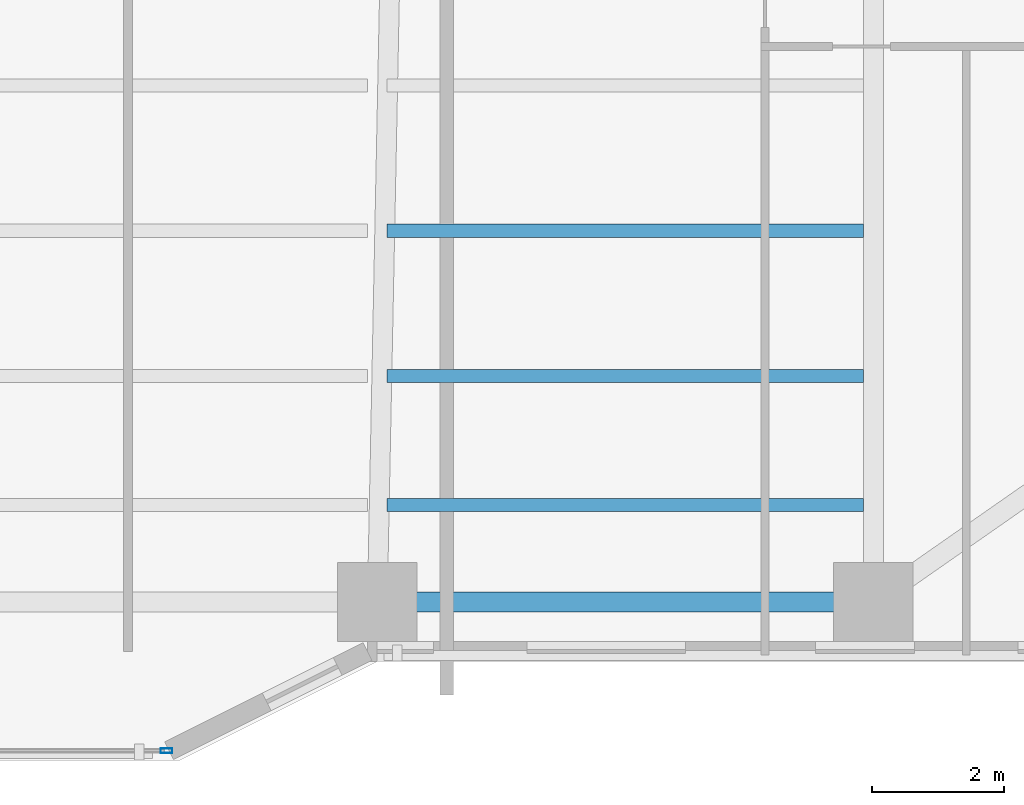
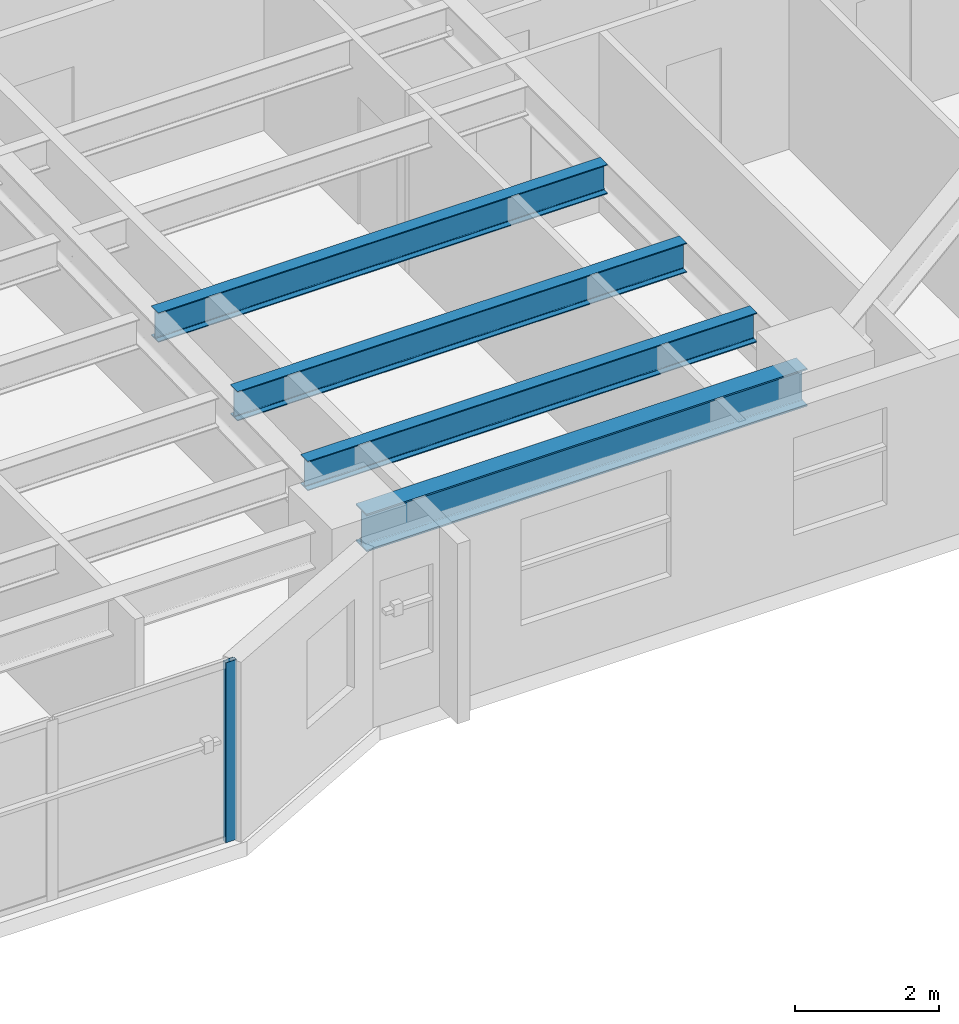
# One storey, part 4 of 20: 4 beams, 1 member, 1 element without a shape of its own.
"""IFC4 building model written with IfcOpenShell, lengths in metres."""

import ifcopenshell
import ifcopenshell.guid

model = None  # the IFC model being written
_history = None  # IfcOwnerHistory: only IFC2X3 demands one
_inside = {}  # id of a spatial element -> (the spatial element, [elements in it])
_under = {}  # id of a project, library or spatial element -> (it, [spatial elements below it])
_declared = {}  # id of a project -> (the project, [libraries it declares])
_typed = {}  # id of a type object -> (the type object, [elements of that type])
_made_of = {}  # id of a material, layer set ... -> (it, [elements and type objects made of it])


def new_model(schema):
    """Start an empty IFC model of exactly this schema.

    Asked for "IFC4X3", IfcOpenShell would pick the latest addendum, in which some entities
    have other attributes; the version numbers below select the first issue.
    IFC2X3 requires an IfcOwnerHistory on every rooted entity: one is made here for all.
    """
    global model, _history
    if schema == "IFC4X3":
        model = ifcopenshell.file(schema_version=(4, 3, 0, 0))
    else:
        model = ifcopenshell.file(schema=schema)
    _inside.clear()
    _under.clear()
    _declared.clear()
    _typed.clear()
    _made_of.clear()
    _history = None
    if model.schema == "IFC2X3":
        org = make("IfcOrganization", Name="unknown")
        user = make(
            "IfcPersonAndOrganization",
            ThePerson=make("IfcPerson", FamilyName="unknown"),
            TheOrganization=org,
        )
        app = make(
            "IfcApplication",
            ApplicationDeveloper=org,
            Version="unknown",
            ApplicationFullName="unknown",
            ApplicationIdentifier="unknown",
        )
        _history = make(
            "IfcOwnerHistory",
            OwningUser=user,
            OwningApplication=app,
            ChangeAction="ADDED",
            CreationDate=0,
        )
    return model


def make(cls, **values):
    """One entity of the class cls with the attributes given. An attribute that is None is left unset."""
    return model.create_entity(
        cls, **{name: value for name, value in values.items() if value is not None}
    )


def rooted(cls, **values):
    """An entity with a GlobalId (a new one), such as an element, a storey or a relation."""
    return make(cls, GlobalId=ifcopenshell.guid.new(), OwnerHistory=_history, **values)


def si_unit(unit_type, name, prefix=None):
    """IfcSIUnit, for example si_unit("LENGTHUNIT", "METRE", prefix="MILLI")."""
    return make("IfcSIUnit", UnitType=unit_type, Prefix=prefix, Name=name)


def assignment(units):
    """IfcUnitAssignment: the units of a project."""
    return None if units is None else make("IfcUnitAssignment", Units=units)


def point(xyz):
    """IfcCartesianPoint."""
    return None if xyz is None else make("IfcCartesianPoint", Coordinates=xyz)


def direction(xyz):
    """IfcDirection."""
    return None if xyz is None else make("IfcDirection", DirectionRatios=xyz)


def frame(location, z_axis=None, x_axis=None):
    """IfcAxis2Placement3D, a coordinate frame: its origin and axes. An axis left out is left unset."""
    return make(
        "IfcAxis2Placement3D",
        Location=point(location),
        Axis=direction(z_axis),
        RefDirection=direction(x_axis),
    )


def frame_2d(location, x_axis=None):
    """IfcAxis2Placement2D, a coordinate frame in the plane: its origin and x axis."""
    return make(
        "IfcAxis2Placement2D", Location=point(location), RefDirection=direction(x_axis)
    )


def origin():
    """The frame at (0, 0, 0) with its axes left unset."""
    return frame((0.0, 0.0, 0.0))


def origin_2d():
    """The frame at (0, 0) in the plane with its x axis left unset."""
    return frame_2d((0.0, 0.0))


def place(relative_to, where):
    """IfcLocalPlacement: puts the frame where relative to a parent placement (None: the world)."""
    return make(
        "IfcLocalPlacement", PlacementRelTo=relative_to, RelativePlacement=where
    )


def context(
    kind, dimensions, precision=None, world=None, true_north=None, identifier=None
):
    """IfcGeometricRepresentationContext, for example the 3D "Model" context."""
    return make(
        "IfcGeometricRepresentationContext",
        ContextIdentifier=identifier,
        ContextType=kind,
        CoordinateSpaceDimension=dimensions,
        Precision=precision,
        WorldCoordinateSystem=world,
        TrueNorth=true_north,
    )


def subcontext(parent, identifier, kind, view, scale=None):
    """IfcGeometricRepresentationSubContext, for example "Body" below "Model"."""
    return make(
        "IfcGeometricRepresentationSubContext",
        ContextIdentifier=identifier,
        ContextType=kind,
        ParentContext=parent,
        TargetScale=scale,
        TargetView=view,
    )


def project(units=None, contexts=None):
    """IfcProject with its units and contexts."""
    return rooted(
        "IfcProject",
        Name="project",
        RepresentationContexts=contexts,
        UnitsInContext=assignment(units),
    )


def spatial(cls, under=None, at=None, **own):
    """A site, building, storey or space (cls), placed at a placement, below another one or the project."""
    s = rooted(cls, ObjectPlacement=at, **own)
    if under is not None:
        _under.setdefault(under.id(), (under, []))[1].append(s)
    return s


def profile(cls, at=None, kind="AREA", **sizes):
    """A parametric profile (cls). Its sizes go by their IFC names, for example OverallWidth=200.0."""
    return make(cls, ProfileType=kind, Position=at, **sizes)


def hollow_rectangle(**sizes):
    """IfcRectangleHollowProfileDef."""
    return profile("IfcRectangleHollowProfileDef", **sizes)


def i_section(**sizes):
    """IfcIShapeProfileDef."""
    return profile("IfcIShapeProfileDef", **sizes)


def extrude(swept, where, along, depth):
    """IfcExtrudedAreaSolid: the profile swept, set in the frame where, extruded along a direction by depth."""
    return make(
        "IfcExtrudedAreaSolid",
        SweptArea=swept,
        Position=where,
        ExtrudedDirection=direction(along),
        Depth=depth,
    )


def shape(context_of_items, identifier, shape_type, items):
    """IfcShapeRepresentation: the items that make up one representation, for example the "Body"."""
    return make(
        "IfcShapeRepresentation",
        ContextOfItems=context_of_items,
        RepresentationIdentifier=identifier,
        RepresentationType=shape_type,
        Items=items,
    )


def material(Name=None, Category=None):
    """IfcMaterial."""
    return make("IfcMaterial", Name=Name, Category=Category)


def layer(
    of_material, thickness, ventilated=None, Name=None, Category=None, Priority=None
):
    """IfcMaterialLayer: one layer of a wall or slab, of a material (None: an air gap)."""
    return make(
        "IfcMaterialLayer",
        Material=of_material,
        LayerThickness=thickness,
        IsVentilated=ventilated,
        Name=Name,
        Category=Category,
        Priority=Priority,
    )


def layer_set(layers, Name=None):
    """IfcMaterialLayerSet."""
    return make("IfcMaterialLayerSet", MaterialLayers=layers, LayerSetName=Name)


def material_profile(
    of_material, cross_section, Name=None, Category=None, Priority=None
):
    """IfcMaterialProfile: a cross section and its material."""
    return make(
        "IfcMaterialProfile",
        Name=Name,
        Material=of_material,
        Profile=cross_section,
        Priority=Priority,
        Category=Category,
    )


def profile_set(profiles, Name=None, composite=None):
    """IfcMaterialProfileSet."""
    return make(
        "IfcMaterialProfileSet",
        Name=Name,
        MaterialProfiles=profiles,
        CompositeProfile=composite,
    )


def made_of(thing, what):
    """Note that an element or type object is made of a material, layer set ...; save() writes the relation."""
    if what is not None:
        _made_of.setdefault(what.id(), (what, []))[1].append(thing)
    return thing


def type_object(cls, material=None, **own):
    """A type object (cls), such as IfcWallType, which elements share."""
    return made_of(rooted(cls, **own), material)


def element(
    cls,
    number,
    at=None,
    inside=None,
    cuts=None,
    type_object=None,
    material=None,
    context=None,
    identifier="Body",
    shape_type=None,
    held_by="IfcProductDefinitionShape",
    body=None,
    shapes=None,
    **own,
):
    """One element of the class cls, such as IfcWall. Its Tag is "e" and its number.

    at: its placement. inside: the storey or other place that contains it. cuts: it is an
    opening in that element (IfcRelVoidsElement). A single representation is given by context,
    identifier, shape_type and body (its items); several are given by shapes. held_by: the class
    of the entity that holds the representations. save() writes the other relations.
    """
    e = rooted(cls, Tag="e%d" % number, ObjectPlacement=at, **own)
    if body is not None:
        shapes = [shape(context, identifier, shape_type, body)]
    if shapes is not None:
        e.Representation = make(held_by, Representations=shapes)
    if inside is not None:
        _inside.setdefault(inside.id(), (inside, []))[1].append(e)
    if cuts is not None:
        rooted(
            "IfcRelVoidsElement", RelatingBuildingElement=cuts, RelatedOpeningElement=e
        )
    if type_object is not None:
        _typed.setdefault(type_object.id(), (type_object, []))[1].append(e)
    return made_of(e, material)


def aggregate(whole, parts):
    """IfcRelAggregates: a whole, such as a stair, and the parts it consists of."""
    return rooted("IfcRelAggregates", RelatingObject=whole, RelatedObjects=parts)


def save(model, path):
    """Write the relations noted so far, then the file.

    IfcRelAggregates (storeys below a building ...), IfcRelContainedInSpatialStructure (elements
    in a storey), IfcRelDefinesByType, IfcRelAssociatesMaterial and IfcRelDeclares: one each for
    every whole, place, type object, material and project.
    """
    for whole, parts in _under.values():
        aggregate(whole, parts)
    for where, things in _inside.values():
        rooted(
            "IfcRelContainedInSpatialStructure",
            RelatedElements=things,
            RelatingStructure=where,
        )
    for kind, things in _typed.values():
        rooted("IfcRelDefinesByType", RelatedObjects=things, RelatingType=kind)
    for what, things in _made_of.values():
        rooted("IfcRelAssociatesMaterial", RelatedObjects=things, RelatingMaterial=what)
    for by, libraries in _declared.values():
        rooted("IfcRelDeclares", RelatingContext=by, RelatedDefinitions=libraries)
    model.write(path)


model = new_model("IFC4")

# Units and contexts
model_context = context("Model", 3, precision=1e-05, world=origin(), true_north=direction((0.0, 1.0)))
body_context = subcontext(model_context, "Body", "Model", "MODEL_VIEW")
ifc_project = project(units=[si_unit("LENGTHUNIT", "METRE"), si_unit("AREAUNIT", "SQUARE_METRE"), si_unit("VOLUMEUNIT", "CUBIC_METRE"), si_unit("PLANEANGLEUNIT", "RADIAN"), si_unit("MASSUNIT", "GRAM", prefix="KILO")], contexts=[model_context])

# Site, building, storey
site_placement = place(None, origin())
site = spatial("IfcSite", under=ifc_project, at=site_placement, CompositionType="ELEMENT")
building_placement = place(site_placement, origin())
building = spatial("IfcBuilding", under=site, at=building_placement, Name="Tarnavaz Court Tower", CompositionType="ELEMENT")
storey_placement = place(building_placement, frame((0.0, 0.0, 60.85009765625)))
storey = spatial("IfcBuildingStorey", under=building, at=storey_placement, Name="L16", CompositionType="ELEMENT", Elevation=60.85009765625)

# Beams
ifc_material_1 = material(Name="Steel S355", Category="steel")
ifc_material_profile_1 = material_profile(ifc_material_1, i_section(OverallWidth=0.199951171875, OverallDepth=0.5, WebThickness=0.01025390625, FlangeThickness=0.01611328125, FilletRadius=0.02099609375, at=origin_2d()), Name="IPE 500")
ifc_profile_set_1 = profile_set([ifc_material_profile_1], Name="Steel S355")
beam_type_1 = type_object("IfcBeamType", Name="BM-J-IPE500", PredefinedType="JOIST", material=ifc_profile_set_1)
for number, where, z_axis, x_axis, name in (
    (1, (7.64990234375, -17.18798828125, 2.7998046875), (1.0, 0.0, 0.0), (0.0, 1.0, 0.0), "L16 Beam JS3-3"),
    (2, (7.64990234375, -19.384033203125, 2.7998046875), (1.0, 0.0, 0.0), (0.0, 1.0, 0.0), "L16 Beam JS4-3"),
    (3, (7.64990234375, -21.3359375, 2.7998046875), (1.0, 0.0, 0.0), (0.0, 1.0, 0.0), "L16 Beam JS5-3"),
):
    element("IfcBeam", number, at=place(storey_placement, frame(where, z_axis=z_axis, x_axis=x_axis)), inside=storey, type_object=beam_type_1, Name=name, PredefinedType="JOIST", context=body_context, shape_type="SweptSolid", body=[
        extrude(i_section(OverallWidth=0.199951171875, OverallDepth=0.5, WebThickness=0.01025390625, FlangeThickness=0.01611328125, FilletRadius=0.02099609375, at=origin_2d()), origin(), (0.0, 0.0, 1.0), 7.2001953125),
    ])
ifc_material_profile_2 = material_profile(ifc_material_1, i_section(OverallWidth=0.300048828125, OverallDepth=0.639892578125, WebThickness=0.013427734375, FlangeThickness=0.02587890625, FilletRadius=0.027099609375, at=origin_2d()), Name="HEA 650")
ifc_profile_set_2 = profile_set([ifc_material_profile_2], Name="Steel S355")
beam_type_2 = type_object("IfcBeamType", Name="BM-SP-HEA650", PredefinedType="SPANDREL", material=ifc_profile_set_2)
beam_placement = place(storey_placement, frame((7.719970703125, -22.800048828125, 2.72998046875), z_axis=(1.0, 0.0, 0.0), x_axis=(0.0, 1.0, 0.0)))
element("IfcBeam", 4, at=beam_placement, inside=storey, type_object=beam_type_2, Name="L16 Beam PR-PS-3-PS-4", PredefinedType="SPANDREL", context=body_context, shape_type="SweptSolid", body=[
    extrude(i_section(OverallWidth=0.300048828125, OverallDepth=0.639892578125, WebThickness=0.013427734375, FlangeThickness=0.02587890625, FilletRadius=0.027099609375, at=origin_2d()), origin(), (0.0, 0.0, 1.0), 7.06005859375),
])

# Curtain wall, member
ifc_material_2 = material(Name="Anodised Aluminium 6063-T6 and Solar Low-E Glazing", Category="aluminium")
ifc_layer = layer(ifc_material_2, 0.179931640625)
ifc_layer_set = layer_set([ifc_layer], Name="Anodised Aluminium 6063-T6 and Solar Low-E Glazing")
curtain_wall_type = type_object("IfcCurtainWallType", Name="CW-SYS-02", PredefinedType="NOTDEFINED", material=ifc_layer_set)
curtain_wall_placement = place(storey_placement, origin())
curtain_wall = element("IfcCurtainWall", 5, at=curtain_wall_placement, inside=storey, type_object=curtain_wall_type, Name="L16 Iwan Prow Curtain Wall 17", PredefinedType="NOTDEFINED")
ifc_material_3 = material(Name="Anodised Aluminium 6063-T6", Category="aluminium")
ifc_material_profile_3 = material_profile(ifc_material_3, hollow_rectangle(XDim=0.074951171875, YDim=0.179931640625, WallThickness=0.0048828125, InnerFilletRadius=0.0048828125, OuterFilletRadius=0.010009765625, at=origin_2d()), Name="ALU RHS 180X75X5")
ifc_profile_set_3 = profile_set([ifc_material_profile_3], Name="Anodised Aluminium 6063-T6")
member_type = type_object("IfcMemberType", Name="CW-MUL-180", PredefinedType="MULLION", material=ifc_profile_set_3)
member_placement = place(storey_placement, frame((4.3125, -25.050048828125, 0.0), z_axis=(0.0, 0.0, 1.0), x_axis=(0.0, -1.0, 0.0)))
member = element("IfcMember", 6, at=member_placement, type_object=member_type, Name="CW mullion 1", PredefinedType="MULLION", context=body_context, shape_type="SweptSolid", body=[
    extrude(hollow_rectangle(XDim=0.074951171875, YDim=0.179931640625, WallThickness=0.0048828125, InnerFilletRadius=0.0048828125, OuterFilletRadius=0.010009765625, at=origin_2d()), origin(), (0.0, 0.0, 1.0), 3.0498046875),
])
aggregate(curtain_wall, [member])

save(model, "model.ifc")
